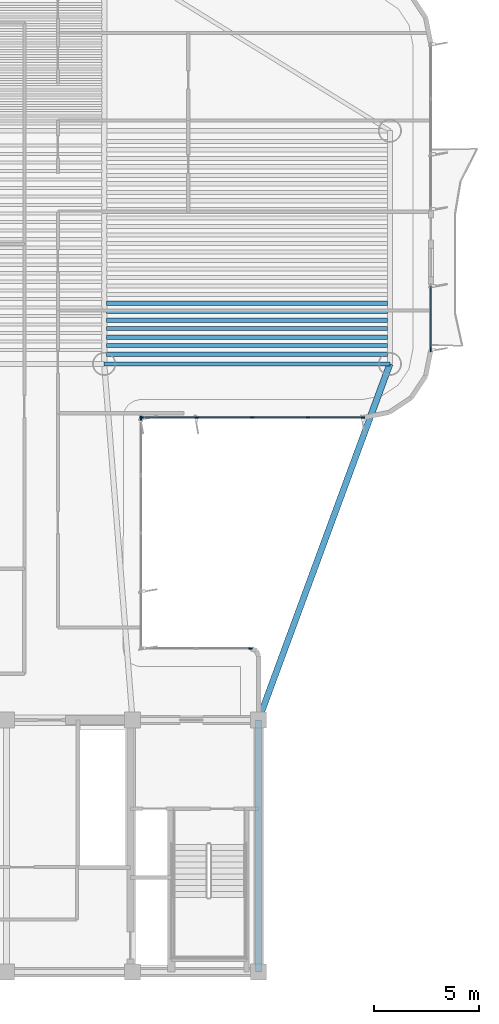
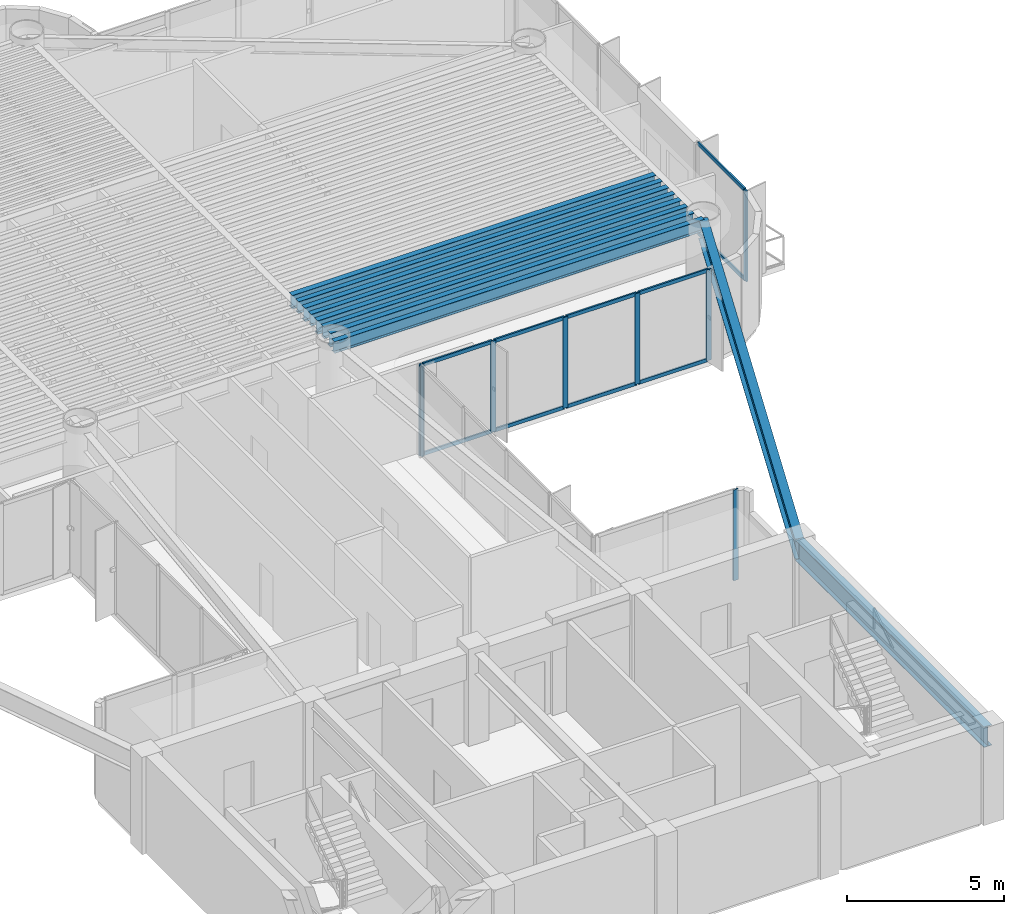
# One storey, part 4 of 14: 18 members, 10 beams, 4 elements without a shape of their own.
"""IFC4 building model written with IfcOpenShell, lengths in metres."""

from ifc_helpers import new_model, si_unit, direction, frame, origin, origin_2d, place, context, subcontext, project, spatial, rectangle, i_section, extrude, source, transform, mapped, material, layer, layer_set, material_profile, profile_set, type_object, element, aggregate, save


model = new_model("IFC4")

# Units and contexts
model_context = context("Model", 3, precision=1e-05, world=origin(), true_north=direction((0.0, 1.0)))
body_context = subcontext(model_context, "Body", "Model", "MODEL_VIEW")
ifc_project = project(units=[si_unit("LENGTHUNIT", "METRE"), si_unit("AREAUNIT", "SQUARE_METRE"), si_unit("VOLUMEUNIT", "CUBIC_METRE"), si_unit("PLANEANGLEUNIT", "RADIAN"), si_unit("MASSUNIT", "GRAM", prefix="KILO")], contexts=[model_context])

# Site, building, storey
site_placement = place(None, origin())
site = spatial("IfcSite", under=ifc_project, at=site_placement, CompositionType="ELEMENT")
building_placement = place(site_placement, origin())
building = spatial("IfcBuilding", under=site, at=building_placement, Name="Brelvock Crest Care Tower", CompositionType="ELEMENT")
storey_placement = place(building_placement, frame((0.0, 0.0, 201.780029296875)))
storey = spatial("IfcBuildingStorey", under=building, at=storey_placement, Name="L51", CompositionType="ELEMENT", Elevation=201.780029296875)

# Beams
ifc_material_1 = material(Name="Steel Grade 350", Category="steel")
ifc_material_profile_1 = material_profile(ifc_material_1, i_section(OverallWidth=0.300048828125, OverallDepth=0.800048828125, WebThickness=0.013916015625, FlangeThickness=0.02197265625, at=origin_2d()), Name="800WB192")
ifc_profile_set_1 = profile_set([ifc_material_profile_1], Name="Steel Grade 350")
beam_type_1 = type_object("IfcBeamType", Name="BM-G5", PredefinedType="BEAM", material=ifc_profile_set_1)
shared_shape_1 = source(origin(), body_context, "Body", "SweptSolid", [
    extrude(i_section(OverallWidth=0.300048828125, OverallDepth=0.800048828125, WebThickness=0.013916015625, FlangeThickness=0.02197265625, at=origin_2d()), origin(), (0.0, 0.0, 1.0), 12.0),
])
beam_1_placement = place(storey_placement, frame((48.0, 6.0, 3.1298828125), z_axis=(0.0, 1.0, 0.0), x_axis=(-1.0, 0.0, 0.0)))
element("IfcBeam", 1, at=beam_1_placement, inside=storey, type_object=beam_type_1, Name="BM-COREX-L51-5", PredefinedType="BEAM", context=body_context, shape_type="MappedRepresentation", body=[
    mapped(shared_shape_1, transform((0.0, 0.0, 0.0), x_axis=(1.0, 0.0, 0.0), y_axis=(0.0, 1.0, 0.0), z_axis=(0.0, 0.0, 1.0), scale=1.0)),
])
ifc_material_profile_2 = material_profile(ifc_material_1, i_section(OverallWidth=0.208984375, OverallDepth=0.532958984375, WebThickness=0.01025390625, FlangeThickness=0.015625, FilletRadius=0.013916015625, at=origin_2d()), Name="530UB92.4")
ifc_profile_set_2 = profile_set([ifc_material_profile_2], Name="Steel Grade 350")
beam_type_2 = type_object("IfcBeamType", Name="BM-G2", PredefinedType="BEAM", material=ifc_profile_set_2)
shared_shape_2 = source(origin(), body_context, "Body", "SweptSolid", [
    extrude(i_section(OverallWidth=0.208984375, OverallDepth=0.532958984375, WebThickness=0.01025390625, FlangeThickness=0.015625, FilletRadius=0.013916015625, at=origin_2d()), origin(), (0.0, 0.0, 1.0), 13.3701171875),
])
for number, where, z_axis, x_axis, name in (
    (2, (40.764892578125, 35.416259765625, 3.263427734375), (1.0, 0.0, 0.0), (0.0, 1.0, 0.0), "BM-JE-L51-1"),
    (3, (40.764892578125, 36.2265625, 3.263427734375), (1.0, 0.0, 0.0), (0.0, 1.0, 0.0), "BM-JE-L51-3"),
    (4, (40.764892578125, 37.036865234375, 3.263427734375), (1.0, 0.0, 0.0), (0.0, 1.0, 0.0), "BM-JE-L51-5"),
    (5, (40.764892578125, 37.84716796875, 3.263427734375), (1.0, 0.0, 0.0), (0.0, 1.0, 0.0), "BM-JE-L51-7"),
):
    element("IfcBeam", number, at=place(storey_placement, frame(where, z_axis=z_axis, x_axis=x_axis)), inside=storey, type_object=beam_type_2, Name=name, PredefinedType="BEAM", context=body_context, shape_type="MappedRepresentation", body=[
        mapped(shared_shape_2, transform((0.0, 0.0, 0.0), x_axis=(1.0, 0.0, 0.0), y_axis=(0.0, 1.0, 0.0), z_axis=(0.0, 0.0, 1.0), scale=1.0)),
    ])
ifc_material_profile_3 = material_profile(ifc_material_1, i_section(OverallWidth=0.19091796875, OverallDepth=0.4599609375, WebThickness=0.010009765625, FlangeThickness=0.01611328125, FilletRadius=0.011474609375, at=origin_2d()), Name="460UB82.1")
ifc_profile_set_3 = profile_set([ifc_material_profile_3], Name="Steel Grade 350")
beam_type_3 = type_object("IfcBeamType", Name="BM-G3", PredefinedType="BEAM", material=ifc_profile_set_3)
shared_shape_3 = source(origin(), body_context, "Body", "SweptSolid", [
    extrude(i_section(OverallWidth=0.19091796875, OverallDepth=0.4599609375, WebThickness=0.010009765625, FlangeThickness=0.01611328125, FilletRadius=0.011474609375, at=origin_2d()), origin(), (0.0, 0.0, 1.0), 13.3701171875),
])
for number, where, z_axis, x_axis, name in (
    (6, (40.764892578125, 35.8212890625, 3.300048828125), (1.0, 0.0, 0.0), (0.0, 1.0, 0.0), "BM-JE-L51-2"),
    (7, (40.764892578125, 36.631591796875, 3.300048828125), (1.0, 0.0, 0.0), (0.0, 1.0, 0.0), "BM-JE-L51-4"),
    (8, (40.764892578125, 37.44189453125, 3.300048828125), (1.0, 0.0, 0.0), (0.0, 1.0, 0.0), "BM-JE-L51-6"),
):
    element("IfcBeam", number, at=place(storey_placement, frame(where, z_axis=z_axis, x_axis=x_axis)), inside=storey, type_object=beam_type_3, Name=name, PredefinedType="BEAM", context=body_context, shape_type="MappedRepresentation", body=[
        mapped(shared_shape_3, transform((0.0, 0.0, 0.0), x_axis=(1.0, 0.0, 0.0), y_axis=(0.0, 1.0, 0.0), z_axis=(0.0, 0.0, 1.0), scale=1.0)),
    ])
ifc_material_profile_4 = material_profile(ifc_material_1, i_section(OverallWidth=0.19091796875, OverallDepth=0.4599609375, WebThickness=0.010009765625, FlangeThickness=0.01611328125, FilletRadius=0.011474609375, at=origin_2d()), Name="460UB82.1")
ifc_profile_set_4 = profile_set([ifc_material_profile_4], Name="Steel Grade 350")
beam_type_4 = type_object("IfcBeamType", Name="BM-SP2", PredefinedType="SPANDREL", material=ifc_profile_set_4)
shared_shape_4 = source(origin(), body_context, "Body", "SweptSolid", [
    extrude(i_section(OverallWidth=0.19091796875, OverallDepth=0.4599609375, WebThickness=0.010009765625, FlangeThickness=0.01611328125, FilletRadius=0.011474609375, at=origin_2d()), origin(), (0.0, 0.0, 1.0), 13.60009765625),
])
beam_2_placement = place(storey_placement, frame((40.64990234375, 34.949951171875, 3.300048828125), z_axis=(1.0, 0.0, 0.0), x_axis=(0.0, 1.0, 0.0)))
element("IfcBeam", 9, at=beam_2_placement, inside=storey, type_object=beam_type_4, Name="BM-TWR-L51-04", PredefinedType="SPANDREL", context=body_context, shape_type="MappedRepresentation", body=[
    mapped(shared_shape_4, transform((0.0, 0.0, 0.0), x_axis=(1.0, 0.0, 0.0), y_axis=(0.0, 1.0, 0.0), z_axis=(0.0, 0.0, 1.0), scale=1.0)),
])
shared_shape_5 = source(origin(), body_context, "Body", "SweptSolid", [
    extrude(i_section(OverallWidth=0.300048828125, OverallDepth=0.800048828125, WebThickness=0.013916015625, FlangeThickness=0.02197265625, at=origin_2d()), origin(), (0.0, 0.0, 1.0), 18.0654296875),
])
beam_3_placement = place(storey_placement, frame((48.0, 18.0, 3.1298828125), z_axis=(0.345962741309, 0.938248251597, 0.0), x_axis=(-0.938248251597, 0.345962741309, 0.0)))
element("IfcBeam", 10, at=beam_3_placement, inside=storey, type_object=beam_type_1, Name="BM-THRO-E-L51", PredefinedType="BEAM", context=body_context, shape_type="MappedRepresentation", body=[
    mapped(shared_shape_5, transform((0.0, 0.0, 0.0), x_axis=(1.0, 0.0, 0.0), y_axis=(0.0, 1.0, 0.0), z_axis=(0.0, 0.0, 1.0), scale=1.0)),
])

# Curtain wall, member
ifc_material_2 = material(Name="Dark Glass Double Glazed Low-E", Category="glass")
ifc_layer = layer(ifc_material_2, 0.22509765625, Name="CWS-4")
ifc_layer_set = layer_set([ifc_layer], Name="Dark Glass Double Glazed Low-E")
curtain_wall_type = type_object("IfcCurtainWallType", Name="CWS-4", PredefinedType="NOTDEFINED", material=ifc_layer_set)
curtain_wall_1_placement = place(storey_placement, origin())
curtain_wall_1 = element("IfcCurtainWall", 11, at=curtain_wall_1_placement, inside=storey, type_object=curtain_wall_type, Name="L51 Curtain Wall E39B", PredefinedType="NOTDEFINED")
ifc_material_3 = material(Name="Aluminium 6063-T6", Category="aluminium")
ifc_material_profile_5 = material_profile(ifc_material_3, rectangle(XDim=0.06005859375, YDim=0.179931640625, at=origin_2d()), Name="ALU60x180")
ifc_profile_set_5 = profile_set([ifc_material_profile_5], Name="Aluminium 6063-T6")
member_type_1 = type_object("IfcMemberType", Name="CWM-2", PredefinedType="MULLION", material=ifc_profile_set_5)
shared_shape_6 = source(origin(), body_context, "Body", "SweptSolid", [
    extrude(rectangle(XDim=0.06005859375, YDim=0.179931640625, at=origin_2d()), origin(), (0.0, 0.0, 1.0), 3.530029296875),
])
member_1_placement = place(storey_placement, frame((56.199951171875, 35.6298828125, 0.0), z_axis=(0.0, 0.0, 1.0), x_axis=(1.0, 0.0, 0.0)))
member_1 = element("IfcMember", 12, at=member_1_placement, type_object=member_type_1, Name="CW-4 mullion 2", PredefinedType="MULLION", context=body_context, shape_type="MappedRepresentation", body=[
    mapped(shared_shape_6, transform((0.0, 0.0, 0.0), x_axis=(1.0, 0.0, 0.0), y_axis=(0.0, 1.0, 0.0), z_axis=(0.0, 0.0, 1.0), scale=1.0)),
])

# Curtain wall, members
curtain_wall_2_placement = place(storey_placement, origin())
curtain_wall_2 = element("IfcCurtainWall", 13, at=curtain_wall_2_placement, inside=storey, type_object=curtain_wall_type, Name="L51 Curtain Wall E44", PredefinedType="NOTDEFINED")
member_2_placement = place(storey_placement, frame((52.969970703125, 32.39990234375, 0.0), z_axis=(0.0, 0.0, 1.0), x_axis=(0.0, -1.0, 0.0)))
member_2 = element("IfcMember", 14, at=member_2_placement, type_object=member_type_1, Name="CW-4 mullion 1", PredefinedType="MULLION", context=body_context, shape_type="MappedRepresentation", body=[
    mapped(shared_shape_6, transform((0.0, 0.0, 0.0), x_axis=(1.0, 0.0, 0.0), y_axis=(0.0, 1.0, 0.0), z_axis=(0.0, 0.0, 1.0), scale=1.0)),
])
member_3_placement = place(storey_placement, frame((50.35009765625, 32.39990234375, 0.0), z_axis=(0.0, 0.0, 1.0), x_axis=(0.0, -1.0, 0.0)))
member_3 = element("IfcMember", 15, at=member_3_placement, type_object=member_type_1, Name="CW-4 mullion 2", PredefinedType="MULLION", context=body_context, shape_type="MappedRepresentation", body=[
    mapped(shared_shape_6, transform((0.0, 0.0, 0.0), x_axis=(1.0, 0.0, 0.0), y_axis=(0.0, 1.0, 0.0), z_axis=(0.0, 0.0, 1.0), scale=1.0)),
])
member_4_placement = place(storey_placement, frame((47.699951171875, 32.39990234375, 0.0), z_axis=(0.0, 0.0, 1.0), x_axis=(0.0, -1.0, 0.0)))
member_4 = element("IfcMember", 16, at=member_4_placement, type_object=member_type_1, Name="CW-4 mullion 3", PredefinedType="MULLION", context=body_context, shape_type="MappedRepresentation", body=[
    mapped(shared_shape_6, transform((0.0, 0.0, 0.0), x_axis=(1.0, 0.0, 0.0), y_axis=(0.0, 1.0, 0.0), z_axis=(0.0, 0.0, 1.0), scale=1.0)),
])
member_5_placement = place(storey_placement, frame((45.050048828125, 32.39990234375, 0.0), z_axis=(0.0, 0.0, 1.0), x_axis=(0.0, -1.0, 0.0)))
member_5 = element("IfcMember", 17, at=member_5_placement, type_object=member_type_1, Name="CW-4 mullion 4", PredefinedType="MULLION", context=body_context, shape_type="MappedRepresentation", body=[
    mapped(shared_shape_6, transform((0.0, 0.0, 0.0), x_axis=(1.0, 0.0, 0.0), y_axis=(0.0, 1.0, 0.0), z_axis=(0.0, 0.0, 1.0), scale=1.0)),
])
member_6_placement = place(storey_placement, frame((42.429931640625, 32.39990234375, 0.0), z_axis=(0.0, 0.0, 1.0), x_axis=(0.0, -1.0, 0.0)))
member_6 = element("IfcMember", 18, at=member_6_placement, type_object=member_type_1, Name="CW-4 mullion 5", PredefinedType="MULLION", context=body_context, shape_type="MappedRepresentation", body=[
    mapped(shared_shape_6, transform((0.0, 0.0, 0.0), x_axis=(1.0, 0.0, 0.0), y_axis=(0.0, 1.0, 0.0), z_axis=(0.0, 0.0, 1.0), scale=1.0)),
])

# Curtain wall, member
curtain_wall_3_placement = place(storey_placement, origin())
curtain_wall_3 = element("IfcCurtainWall", 19, at=curtain_wall_3_placement, inside=storey, type_object=curtain_wall_type, Name="L51 Curtain Wall E45", PredefinedType="NOTDEFINED")
member_7_placement = place(storey_placement, frame((42.39990234375, 32.3701171875, 0.0), z_axis=(0.0, 0.0, 1.0), x_axis=(1.0, 0.0, 0.0)))
member_7 = element("IfcMember", 20, at=member_7_placement, type_object=member_type_1, Name="CW-4 mullion 1", PredefinedType="MULLION", context=body_context, shape_type="MappedRepresentation", body=[
    mapped(shared_shape_6, transform((0.0, 0.0, 0.0), x_axis=(1.0, 0.0, 0.0), y_axis=(0.0, 1.0, 0.0), z_axis=(0.0, 0.0, 1.0), scale=1.0)),
])
aggregate(curtain_wall_3, [member_7])

curtain_wall_4_placement = place(storey_placement, origin())
curtain_wall_4 = element("IfcCurtainWall", 21, at=curtain_wall_4_placement, inside=storey, type_object=curtain_wall_type, Name="L51 Curtain Wall E46", PredefinedType="NOTDEFINED")
member_8_placement = place(storey_placement, frame((47.6201171875, 21.39990234375, 0.0), z_axis=(0.0, 0.0, 1.0), x_axis=(0.0, 1.0, 0.0)))
member_8 = element("IfcMember", 22, at=member_8_placement, type_object=member_type_1, Name="CW-4 mullion 3", PredefinedType="MULLION", context=body_context, shape_type="MappedRepresentation", body=[
    mapped(shared_shape_6, transform((0.0, 0.0, 0.0), x_axis=(1.0, 0.0, 0.0), y_axis=(0.0, 1.0, 0.0), z_axis=(0.0, 0.0, 1.0), scale=1.0)),
])
aggregate(curtain_wall_4, [member_8])

# Member
ifc_material_profile_6 = material_profile(ifc_material_3, rectangle(XDim=0.06005859375, YDim=0.139892578125, at=origin_2d()), Name="ALU60x140")
ifc_profile_set_6 = profile_set([ifc_material_profile_6], Name="Aluminium 6063-T6")
member_type_2 = type_object("IfcMemberType", Name="CWT-2", PredefinedType="USERDEFINED", material=ifc_profile_set_6)
shared_shape_7 = source(origin(), body_context, "Body", "SweptSolid", [
    extrude(rectangle(XDim=0.06005859375, YDim=0.139892578125, at=origin_2d()), origin(), (0.0, 0.0, 1.0), 2.56005859375),
])
member_9_placement = place(storey_placement, frame((52.93994140625, 32.39990234375, 0.030029296875), z_axis=(-1.0, 0.0, 0.0), x_axis=(0.0, -1.0, 0.0)))
member_9 = element("IfcMember", 23, at=member_9_placement, type_object=member_type_2, Name="CW-4 transom 1.1", ObjectType="TRANSOM", PredefinedType="USERDEFINED", context=body_context, shape_type="MappedRepresentation", body=[
    mapped(shared_shape_7, transform((0.0, 0.0, 0.0), x_axis=(1.0, 0.0, 0.0), y_axis=(0.0, 1.0, 0.0), z_axis=(0.0, 0.0, 1.0), scale=1.0)),
])

member_10_placement = place(storey_placement, frame((52.93994140625, 32.39990234375, 3.5), z_axis=(-1.0, 0.0, 0.0), x_axis=(0.0, -1.0, 0.0)))
member_10 = element("IfcMember", 24, at=member_10_placement, type_object=member_type_2, Name="CW-4 transom 1.2", ObjectType="TRANSOM", PredefinedType="USERDEFINED", context=body_context, shape_type="MappedRepresentation", body=[
    mapped(shared_shape_7, transform((0.0, 0.0, 0.0), x_axis=(1.0, 0.0, 0.0), y_axis=(0.0, 1.0, 0.0), z_axis=(0.0, 0.0, 1.0), scale=1.0)),
])

member_11_placement = place(storey_placement, frame((45.02001953125, 32.39990234375, 0.030029296875), z_axis=(-1.0, 0.0, 0.0), x_axis=(0.0, -1.0, 0.0)))
member_11 = element("IfcMember", 25, at=member_11_placement, type_object=member_type_2, Name="CW-4 transom 4.1", ObjectType="TRANSOM", PredefinedType="USERDEFINED", context=body_context, shape_type="MappedRepresentation", body=[
    mapped(shared_shape_7, transform((0.0, 0.0, 0.0), x_axis=(1.0, 0.0, 0.0), y_axis=(0.0, 1.0, 0.0), z_axis=(0.0, 0.0, 1.0), scale=1.0)),
])

member_12_placement = place(storey_placement, frame((45.02001953125, 32.39990234375, 3.5), z_axis=(-1.0, 0.0, 0.0), x_axis=(0.0, -1.0, 0.0)))
member_12 = element("IfcMember", 26, at=member_12_placement, type_object=member_type_2, Name="CW-4 transom 4.2", ObjectType="TRANSOM", PredefinedType="USERDEFINED", context=body_context, shape_type="MappedRepresentation", body=[
    mapped(shared_shape_7, transform((0.0, 0.0, 0.0), x_axis=(1.0, 0.0, 0.0), y_axis=(0.0, 1.0, 0.0), z_axis=(0.0, 0.0, 1.0), scale=1.0)),
])

shared_shape_8 = source(origin(), body_context, "Body", "SweptSolid", [
    extrude(rectangle(XDim=0.06005859375, YDim=0.139892578125, at=origin_2d()), origin(), (0.0, 0.0, 1.0), 2.58984375),
])
member_13_placement = place(storey_placement, frame((47.669921875, 32.39990234375, 0.030029296875), z_axis=(-1.0, 0.0, 0.0), x_axis=(0.0, -1.0, 0.0)))
member_13 = element("IfcMember", 27, at=member_13_placement, type_object=member_type_2, Name="CW-4 transom 3.1", ObjectType="TRANSOM", PredefinedType="USERDEFINED", context=body_context, shape_type="MappedRepresentation", body=[
    mapped(shared_shape_8, transform((0.0, 0.0, 0.0), x_axis=(1.0, 0.0, 0.0), y_axis=(0.0, 1.0, 0.0), z_axis=(0.0, 0.0, 1.0), scale=1.0)),
])

member_14_placement = place(storey_placement, frame((47.669921875, 32.39990234375, 3.5), z_axis=(-1.0, 0.0, 0.0), x_axis=(0.0, -1.0, 0.0)))
member_14 = element("IfcMember", 28, at=member_14_placement, type_object=member_type_2, Name="CW-4 transom 3.2", ObjectType="TRANSOM", PredefinedType="USERDEFINED", context=body_context, shape_type="MappedRepresentation", body=[
    mapped(shared_shape_8, transform((0.0, 0.0, 0.0), x_axis=(1.0, 0.0, 0.0), y_axis=(0.0, 1.0, 0.0), z_axis=(0.0, 0.0, 1.0), scale=1.0)),
])

shared_shape_9 = source(origin(), body_context, "Body", "SweptSolid", [
    extrude(rectangle(XDim=0.06005859375, YDim=0.139892578125, at=origin_2d()), origin(), (0.0, 0.0, 1.0), 2.590087890625),
])
member_15_placement = place(storey_placement, frame((50.320068359375, 32.39990234375, 0.030029296875), z_axis=(-1.0, 0.0, 0.0), x_axis=(0.0, -1.0, 0.0)))
member_15 = element("IfcMember", 29, at=member_15_placement, type_object=member_type_2, Name="CW-4 transom 2.1", ObjectType="TRANSOM", PredefinedType="USERDEFINED", context=body_context, shape_type="MappedRepresentation", body=[
    mapped(shared_shape_9, transform((0.0, 0.0, 0.0), x_axis=(1.0, 0.0, 0.0), y_axis=(0.0, 1.0, 0.0), z_axis=(0.0, 0.0, 1.0), scale=1.0)),
])

member_16_placement = place(storey_placement, frame((50.320068359375, 32.39990234375, 3.5), z_axis=(-1.0, 0.0, 0.0), x_axis=(0.0, -1.0, 0.0)))
member_16 = element("IfcMember", 30, at=member_16_placement, type_object=member_type_2, Name="CW-4 transom 2.2", ObjectType="TRANSOM", PredefinedType="USERDEFINED", context=body_context, shape_type="MappedRepresentation", body=[
    mapped(shared_shape_9, transform((0.0, 0.0, 0.0), x_axis=(1.0, 0.0, 0.0), y_axis=(0.0, 1.0, 0.0), z_axis=(0.0, 0.0, 1.0), scale=1.0)),
])

aggregate(curtain_wall_2, [member_2, member_3, member_4, member_5, member_6, member_9, member_10, member_15, member_16, member_13, member_14, member_11, member_12])

shared_shape_10 = source(origin(), body_context, "Body", "SweptSolid", [
    extrude(rectangle(XDim=0.06005859375, YDim=0.139892578125, at=origin_2d()), origin(), (0.0, 0.0, 1.0), 2.97998046875),
])
member_17_placement = place(storey_placement, frame((56.199951171875, 38.639892578125, 0.030029296875), z_axis=(0.0, -1.0, 0.0), x_axis=(1.0, 0.0, 0.0)))
member_17 = element("IfcMember", 31, at=member_17_placement, type_object=member_type_2, Name="CW-4 transom 1.1", ObjectType="TRANSOM", PredefinedType="USERDEFINED", context=body_context, shape_type="MappedRepresentation", body=[
    mapped(shared_shape_10, transform((0.0, 0.0, 0.0), x_axis=(1.0, 0.0, 0.0), y_axis=(0.0, 1.0, 0.0), z_axis=(0.0, 0.0, 1.0), scale=1.0)),
])

member_18_placement = place(storey_placement, frame((56.199951171875, 38.639892578125, 3.5), z_axis=(0.0, -1.0, 0.0), x_axis=(1.0, 0.0, 0.0)))
member_18 = element("IfcMember", 32, at=member_18_placement, type_object=member_type_2, Name="CW-4 transom 1.2", ObjectType="TRANSOM", PredefinedType="USERDEFINED", context=body_context, shape_type="MappedRepresentation", body=[
    mapped(shared_shape_10, transform((0.0, 0.0, 0.0), x_axis=(1.0, 0.0, 0.0), y_axis=(0.0, 1.0, 0.0), z_axis=(0.0, 0.0, 1.0), scale=1.0)),
])

aggregate(curtain_wall_1, [member_1, member_17, member_18])

save(model, "model.ifc")
